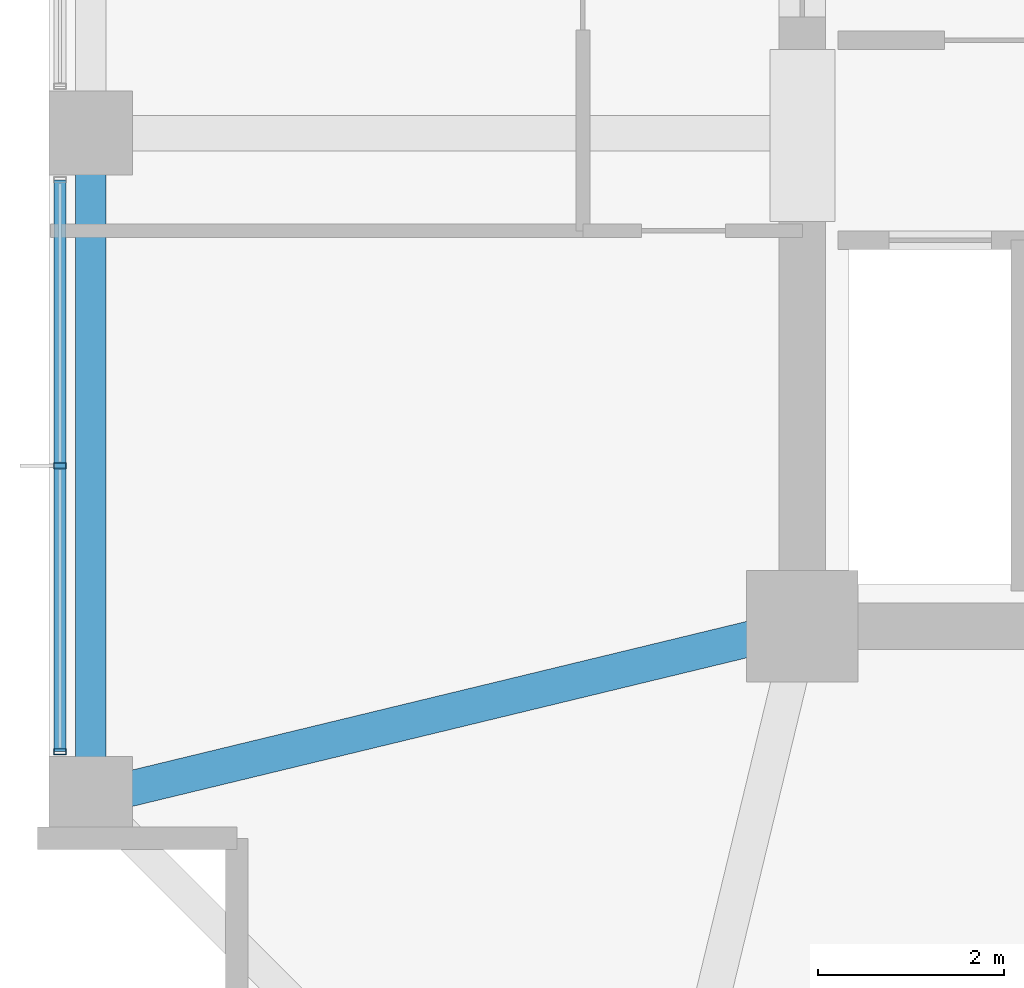
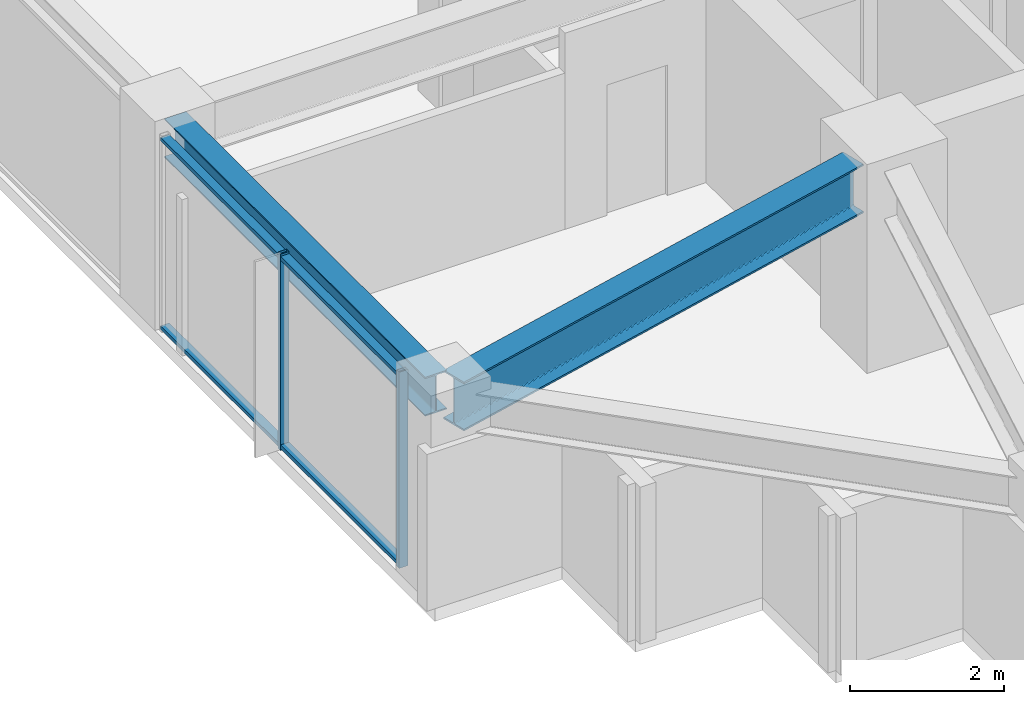
# One storey, part 5 of 31: 4 members, 2 beams, 1 element without a shape of its own.
"""IFC4 building model written with IfcOpenShell, lengths in metres."""

from ifc_helpers import new_model, si_unit, direction, frame, origin, origin_2d, place, context, subcontext, project, spatial, hollow_rectangle, i_section, extrude, material, material_profile, profile_set, type_object, element, aggregate, save


model = new_model("IFC4")

# Units and contexts
model_context = context("Model", 3, precision=1e-05, world=origin(), true_north=direction((0.0, 1.0)))
body_context = subcontext(model_context, "Body", "Model", "MODEL_VIEW")
ifc_project = project(units=[si_unit("LENGTHUNIT", "METRE"), si_unit("AREAUNIT", "SQUARE_METRE"), si_unit("VOLUMEUNIT", "CUBIC_METRE"), si_unit("PLANEANGLEUNIT", "RADIAN"), si_unit("MASSUNIT", "GRAM", prefix="KILO")], contexts=[model_context])

# Site, building, storey
site_placement = place(None, origin())
site = spatial("IfcSite", under=ifc_project, at=site_placement, CompositionType="ELEMENT")
building_placement = place(site_placement, origin())
building = spatial("IfcBuilding", under=site, at=building_placement, Name="Kolvaren Belvedere", CompositionType="ELEMENT")
storey_placement = place(building_placement, frame((0.0, 0.0, 131.60009765625)))
storey = spatial("IfcBuildingStorey", under=building, at=storey_placement, Name="L38", CompositionType="ELEMENT", Elevation=131.60009765625)

# Beams
ifc_material_1 = material(Name="Structural steel ASTM A992 Grade 50", Category="steel")
ifc_material_profile_1 = material_profile(ifc_material_1, i_section(OverallWidth=0.381103515625, OverallDepth=0.77294921875, WebThickness=0.0166015625, FlangeThickness=0.027099609375, FilletRadius=0.02392578125, at=origin_2d()), Name="W30X173")
ifc_profile_set_1 = profile_set([ifc_material_profile_1], Name="Structural steel ASTM A992 Grade 50")
beam_type_1 = type_object("IfcBeamType", Name="BM-GIRD-W30X173", PredefinedType="BEAM", material=ifc_profile_set_1)
beam_1_placement = place(storey_placement, frame((-10.4345703125, -10.029296875, 2.71337890625), z_axis=(-0.971980197119, -0.235062749937, 0.0), x_axis=(0.235062749937, -0.971980197119, 0.0)))
element("IfcBeam", 1, at=beam_1_placement, inside=storey, type_object=beam_type_1, Name="L38 Corner Core-to-Perimeter Girder CC1-W1", PredefinedType="BEAM", context=body_context, shape_type="SweptSolid", body=[
    extrude(i_section(OverallWidth=0.381103515625, OverallDepth=0.77294921875, WebThickness=0.0166015625, FlangeThickness=0.027099609375, FilletRadius=0.02392578125, at=origin_2d()), origin(), (0.0, 0.0, 1.0), 7.140625),
])
ifc_material_2 = material(Name="Structural steel ASTM A992 Grade 50", Category="steel")
ifc_material_profile_2 = material_profile(ifc_material_2, i_section(OverallWidth=0.324951171875, OverallDepth=0.615966796875, WebThickness=0.013916015625, FlangeThickness=0.021484375, FilletRadius=0.02001953125, at=origin_2d()), Name="W24X117")
ifc_profile_set_2 = profile_set([ifc_material_profile_2], Name="Structural steel ASTM A992 Grade 50")
beam_type_2 = type_object("IfcBeamType", Name="BM-SPAN-W24X117", PredefinedType="SPANDREL", material=ifc_profile_set_2)
beam_2_placement = place(storey_placement, frame((-17.550048828125, -4.802490234375, 2.7919921875), z_axis=(0.0, -1.0, 0.0), x_axis=(1.0, 0.0, 0.0)))
element("IfcBeam", 2, at=beam_2_placement, inside=storey, type_object=beam_type_2, Name="L38 Perimeter Spandrel W2-W1", PredefinedType="SPANDREL", context=body_context, shape_type="SweptSolid", body=[
    extrude(i_section(OverallWidth=0.324951171875, OverallDepth=0.615966796875, WebThickness=0.013916015625, FlangeThickness=0.021484375, FilletRadius=0.02001953125, at=origin_2d()), origin(), (0.0, 0.0, 1.0), 6.7451171875),
])

# Curtain wall, members
ifc_material_3 = material(Name="Anodised pale-metal aluminium AA 6063-T6", Category="aluminium")
curtain_wall_type = type_object("IfcCurtainWallType", Name="CW-Z3-WAIST", PredefinedType="NOTDEFINED", material=ifc_material_3)
curtain_wall_placement = place(storey_placement, origin())
curtain_wall = element("IfcCurtainWall", 3, at=curtain_wall_placement, inside=storey, type_object=curtain_wall_type, Name="L38 Unitised Curtain Wall FCW-L38-W-B1", PredefinedType="NOTDEFINED")
ifc_material_4 = material(Name="Anodised pale-metal aluminium AA 6063-T6", Category="aluminium")
ifc_material_profile_3 = material_profile(ifc_material_4, hollow_rectangle(XDim=0.06494140625, YDim=0.1298828125, WallThickness=0.00390625, at=origin_2d()), Name="ALU-MUL-130X65")
ifc_profile_set_3 = profile_set([ifc_material_profile_3], Name="Anodised pale-metal aluminium AA 6063-T6")
member_type_1 = type_object("IfcMemberType", Name="CW-MUL-130", PredefinedType="MULLION", material=ifc_profile_set_3)
member_1_placement = place(storey_placement, frame((-17.8798828125, -11.24755859375, 0.0), z_axis=(0.0, 0.0, 1.0), x_axis=(0.0, 1.0, 0.0)))
member_1 = element("IfcMember", 4, at=member_1_placement, type_object=member_type_1, Name="FCW-L38-W-B1 Unitised Mullion 1", PredefinedType="MULLION", context=body_context, shape_type="SweptSolid", body=[
    extrude(hollow_rectangle(XDim=0.06494140625, YDim=0.1298828125, WallThickness=0.00390625, at=origin_2d()), origin(), (0.0, 0.0, 1.0), 3.099853515625),
])
member_2_placement = place(storey_placement, frame((-17.8798828125, -8.175048828125, 0.0), z_axis=(0.0, 0.0, 1.0), x_axis=(0.0, 1.0, 0.0)))
member_2 = element("IfcMember", 5, at=member_2_placement, type_object=member_type_1, Name="FCW-L38-W-B1 Unitised Mullion 2", PredefinedType="MULLION", context=body_context, shape_type="SweptSolid", body=[
    extrude(hollow_rectangle(XDim=0.06494140625, YDim=0.1298828125, WallThickness=0.00390625, at=origin_2d()), origin(), (0.0, 0.0, 1.0), 3.099853515625),
])
ifc_material_5 = material(Name="Anodised pale-metal aluminium AA 6063-T6", Category="aluminium")
ifc_material_profile_4 = material_profile(ifc_material_5, hollow_rectangle(XDim=0.06005859375, YDim=0.1298828125, WallThickness=0.00390625, at=origin_2d()), Name="ALU-TRN-130X60")
ifc_profile_set_4 = profile_set([ifc_material_profile_4], Name="Anodised pale-metal aluminium AA 6063-T6")
member_type_2 = type_object("IfcMemberType", Name="CW-TRN-130", PredefinedType="USERDEFINED", material=ifc_profile_set_4)
member_3_placement = place(storey_placement, frame((-17.8798828125, -11.24755859375, 0.059814453125), z_axis=(0.0, 1.0, 0.0), x_axis=(0.0, 0.0, 1.0)))
member_3 = element("IfcMember", 6, at=member_3_placement, type_object=member_type_2, Name="FCW-L38-W-B1 Sill Transom", ObjectType="TRANSOM", PredefinedType="USERDEFINED", context=body_context, shape_type="SweptSolid", body=[
    extrude(hollow_rectangle(XDim=0.06005859375, YDim=0.1298828125, WallThickness=0.00390625, at=origin_2d()), origin(), (0.0, 0.0, 1.0), 6.14501953125),
])
member_4_placement = place(storey_placement, frame((-17.8798828125, -11.24755859375, 3.039794921875), z_axis=(0.0, 1.0, 0.0), x_axis=(0.0, 0.0, 1.0)))
member_4 = element("IfcMember", 7, at=member_4_placement, type_object=member_type_2, Name="FCW-L38-W-B1 Head Transom", ObjectType="TRANSOM", PredefinedType="USERDEFINED", context=body_context, shape_type="SweptSolid", body=[
    extrude(hollow_rectangle(XDim=0.06005859375, YDim=0.1298828125, WallThickness=0.00390625, at=origin_2d()), origin(), (0.0, 0.0, 1.0), 6.14501953125),
])
aggregate(curtain_wall, [member_1, member_2, member_3, member_4])

save(model, "model.ifc")
